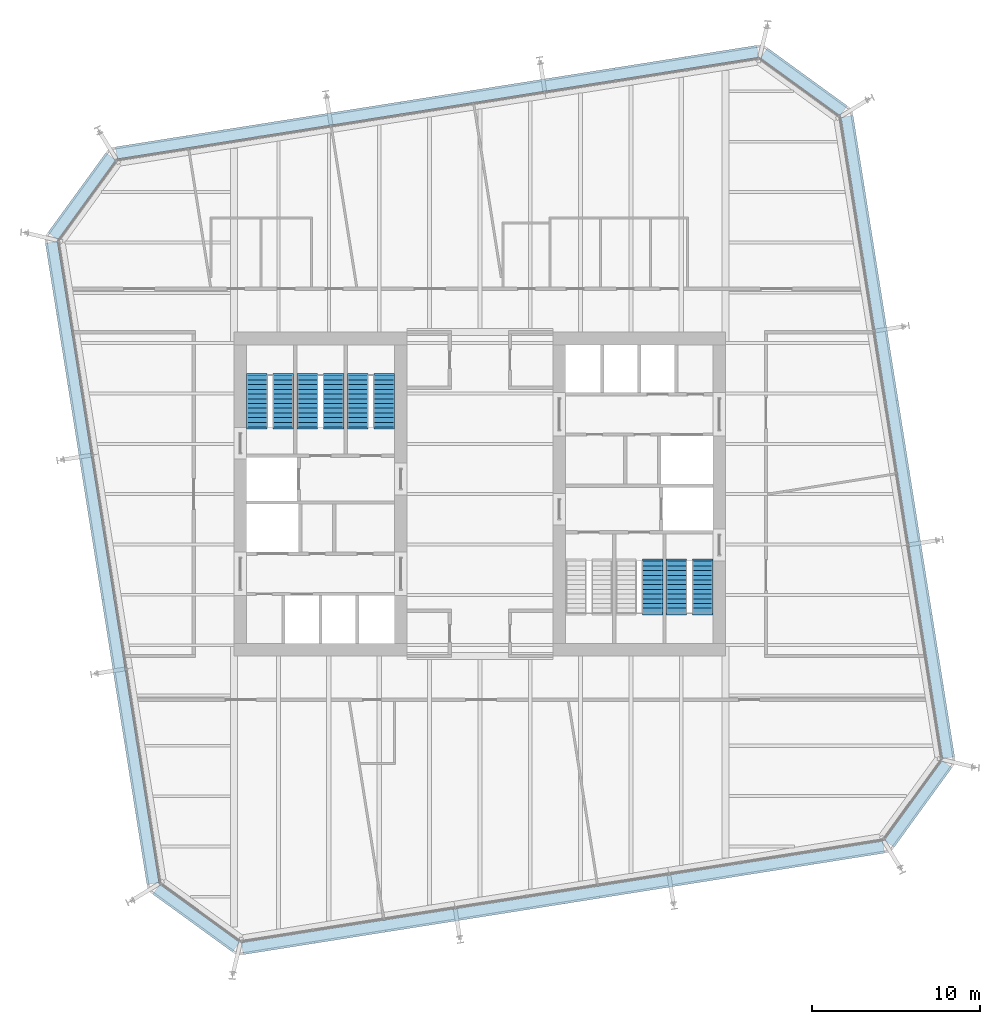
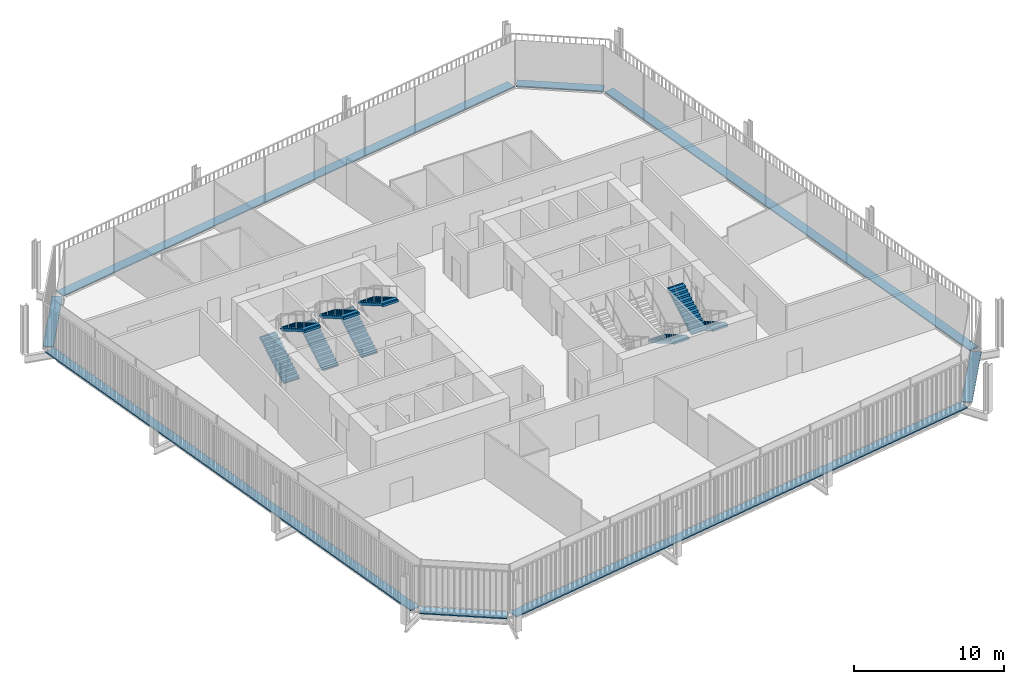
# One storey, part 20 of 21: 9 stair flights, 8 discrete accessories, 5 elements without a shape of their own.
"""IFC4 building model written with IfcOpenShell, lengths in metres."""

from ifc_helpers import new_model, si_unit, direction, frame, origin, origin_2d, place, context, subcontext, project, spatial, polyline, rectangle, outline, extrude, material, type_object, element, aggregate, save


model = new_model("IFC4")

# Units and contexts
model_context = context("Model", 3, precision=1e-05, world=origin(), true_north=direction((0.0, 1.0)))
body_context = subcontext(model_context, "Body", "Model", "MODEL_VIEW")
ifc_project = project(units=[si_unit("LENGTHUNIT", "METRE"), si_unit("AREAUNIT", "SQUARE_METRE"), si_unit("VOLUMEUNIT", "CUBIC_METRE"), si_unit("PLANEANGLEUNIT", "RADIAN"), si_unit("MASSUNIT", "GRAM", prefix="KILO")], contexts=[model_context])

# Site, building, storey
site_placement = place(None, origin())
site = spatial("IfcSite", under=ifc_project, at=site_placement, CompositionType="ELEMENT")
building_placement = place(site_placement, origin())
building = spatial("IfcBuilding", under=site, at=building_placement, Name="Millrace Tower", CompositionType="ELEMENT")
storey_placement = place(building_placement, frame((0.0, 0.0, 183.89990234375)))
storey = spatial("IfcBuildingStorey", under=building, at=storey_placement, Name="L41", CompositionType="ELEMENT", Elevation=183.89990234375)

# Stair, stair flights
ifc_material_1 = material(Name="Concrete C35", Category="concrete")
stair_type = type_object("IfcStairType", Name="Exit stair", PredefinedType="HALF_TURN_STAIR", material=ifc_material_1)
placement = place(storey_placement, origin())
stair_1 = element("IfcStair", 1, at=placement, inside=storey, type_object=stair_type, Name="Stair 1 W L41", PredefinedType="HALF_TURN_STAIR")
ifc_material_2 = material(Name="Concrete C35", Category="concrete")
stair_flight_type = type_object("IfcStairFlightType", Name="Exit stair flight", PredefinedType="STRAIGHT", material=ifc_material_2)
stair_flight_1_placement = place(storey_placement, frame((-13.2900390625, 4.0, 0.0), z_axis=(0.0, 0.0, 1.0), x_axis=(0.0, 1.0, 0.0)))
stair_flight_1 = element("IfcStairFlight", 2, at=stair_flight_1_placement, type_object=stair_flight_type, Name="ST12 flight 1", NumberOfRisers=12, NumberOfTreads=11, PredefinedType="STRAIGHT", RiserHeight=0.1625, TreadLength=0.28, context=body_context, shape_type="SweptSolid", body=[
    extrude(outline(polyline([(-0.1201171875, -0.0400390625), (-0.1201171875, 0.0), (0.0, 0.0), (0.0, 0.16259765625), (0.280029296875, 0.16259765625), (0.280029296875, 0.324951171875), (0.56005859375, 0.324951171875), (0.56005859375, 0.487548828125), (0.840087890625, 0.487548828125), (0.840087890625, 0.64990234375), (1.1201171875, 0.64990234375), (1.1201171875, 0.8125), (1.39990234375, 0.8125), (1.39990234375, 0.97509765625), (1.679931640625, 0.97509765625), (1.679931640625, 1.137451171875), (1.9599609375, 1.137451171875), (1.9599609375, 1.300048828125), (2.239990234375, 1.300048828125), (2.239990234375, 1.46240234375), (2.52001953125, 1.46240234375), (2.52001953125, 1.625), (2.800048828125, 1.625), (2.800048828125, 1.78759765625), (3.080078125, 1.78759765625), (3.080078125, 1.8076171875), (3.199951171875, 1.8076171875), (3.199951171875, 1.6142578125), (3.080078125, 1.6142578125), (0.298583984375, 0.0), (0.298583984375, -0.0400390625), (-0.1201171875, -0.0400390625)])), frame((0.0, 0.60986328125, 0.0), z_axis=(0.0, -1.0, 0.0), x_axis=(1.0, 0.0, 0.0)), (0.0, 0.0, 1.0), 1.219970703125),
])
stair_flight_2_placement = place(storey_placement, frame((-11.7099609375, 7.080078125, 1.9501953125), z_axis=(0.0, 0.0, 1.0), x_axis=(0.0, -1.0, 0.0)))
stair_flight_2 = element("IfcStairFlight", 3, at=stair_flight_2_placement, type_object=stair_flight_type, Name="ST12 flight 2", NumberOfRisers=12, NumberOfTreads=11, PredefinedType="STRAIGHT", RiserHeight=0.1625, TreadLength=0.28, context=body_context, shape_type="SweptSolid", body=[
    extrude(outline(polyline([(-0.1201171875, -0.0400390625), (-0.1201171875, 0.0), (0.0, 0.0), (0.0, 0.16259765625), (0.280029296875, 0.16259765625), (0.280029296875, 0.324951171875), (0.56005859375, 0.324951171875), (0.56005859375, 0.487548828125), (0.840087890625, 0.487548828125), (0.840087890625, 0.64990234375), (1.1201171875, 0.64990234375), (1.1201171875, 0.8125), (1.39990234375, 0.8125), (1.39990234375, 0.97509765625), (1.679931640625, 0.97509765625), (1.679931640625, 1.137451171875), (1.9599609375, 1.137451171875), (1.9599609375, 1.300048828125), (2.239990234375, 1.300048828125), (2.239990234375, 1.46240234375), (2.52001953125, 1.46240234375), (2.52001953125, 1.625), (2.800048828125, 1.625), (2.800048828125, 1.78759765625), (3.080078125, 1.78759765625), (3.080078125, 1.8076171875), (3.199951171875, 1.8076171875), (3.199951171875, 1.6142578125), (3.080078125, 1.6142578125), (0.298583984375, 0.0), (0.298583984375, -0.0400390625), (-0.1201171875, -0.0400390625)])), frame((0.0, 0.60986328125, 0.0), z_axis=(0.0, -1.0, 0.0), x_axis=(1.0, 0.0, 0.0)), (0.0, 0.0, 1.0), 1.219970703125),
])
aggregate(stair_1, [stair_flight_1, stair_flight_2])

stair_2 = element("IfcStair", 4, at=placement, inside=storey, type_object=stair_type, Name="Stair 2 W L41", PredefinedType="HALF_TURN_STAIR")
stair_flight_3_placement = place(storey_placement, frame((-10.2900390625, 4.0, 0.0), z_axis=(0.0, 0.0, 1.0), x_axis=(0.0, 1.0, 0.0)))
stair_flight_3 = element("IfcStairFlight", 5, at=stair_flight_3_placement, type_object=stair_flight_type, Name="ST12 flight 1", NumberOfRisers=12, NumberOfTreads=11, PredefinedType="STRAIGHT", RiserHeight=0.1625, TreadLength=0.28, context=body_context, shape_type="SweptSolid", body=[
    extrude(outline(polyline([(-0.1201171875, -0.0400390625), (-0.1201171875, 0.0), (0.0, 0.0), (0.0, 0.16259765625), (0.280029296875, 0.16259765625), (0.280029296875, 0.324951171875), (0.56005859375, 0.324951171875), (0.56005859375, 0.487548828125), (0.840087890625, 0.487548828125), (0.840087890625, 0.64990234375), (1.1201171875, 0.64990234375), (1.1201171875, 0.8125), (1.39990234375, 0.8125), (1.39990234375, 0.97509765625), (1.679931640625, 0.97509765625), (1.679931640625, 1.137451171875), (1.9599609375, 1.137451171875), (1.9599609375, 1.300048828125), (2.239990234375, 1.300048828125), (2.239990234375, 1.46240234375), (2.52001953125, 1.46240234375), (2.52001953125, 1.625), (2.800048828125, 1.625), (2.800048828125, 1.78759765625), (3.080078125, 1.78759765625), (3.080078125, 1.8076171875), (3.199951171875, 1.8076171875), (3.199951171875, 1.6142578125), (3.080078125, 1.6142578125), (0.298583984375, 0.0), (0.298583984375, -0.0400390625), (-0.1201171875, -0.0400390625)])), frame((0.0, 0.60986328125, 0.0), z_axis=(0.0, -1.0, 0.0), x_axis=(1.0, 0.0, 0.0)), (0.0, 0.0, 1.0), 1.219970703125),
])
stair_flight_4_placement = place(storey_placement, frame((-8.7099609375, 7.080078125, 1.9501953125), z_axis=(0.0, 0.0, 1.0), x_axis=(0.0, -1.0, 0.0)))
stair_flight_4 = element("IfcStairFlight", 6, at=stair_flight_4_placement, type_object=stair_flight_type, Name="ST12 flight 2", NumberOfRisers=12, NumberOfTreads=11, PredefinedType="STRAIGHT", RiserHeight=0.1625, TreadLength=0.28, context=body_context, shape_type="SweptSolid", body=[
    extrude(outline(polyline([(-0.1201171875, -0.0400390625), (-0.1201171875, 0.0), (0.0, 0.0), (0.0, 0.16259765625), (0.280029296875, 0.16259765625), (0.280029296875, 0.324951171875), (0.56005859375, 0.324951171875), (0.56005859375, 0.487548828125), (0.840087890625, 0.487548828125), (0.840087890625, 0.64990234375), (1.1201171875, 0.64990234375), (1.1201171875, 0.8125), (1.39990234375, 0.8125), (1.39990234375, 0.97509765625), (1.679931640625, 0.97509765625), (1.679931640625, 1.137451171875), (1.9599609375, 1.137451171875), (1.9599609375, 1.300048828125), (2.239990234375, 1.300048828125), (2.239990234375, 1.46240234375), (2.52001953125, 1.46240234375), (2.52001953125, 1.625), (2.800048828125, 1.625), (2.800048828125, 1.78759765625), (3.080078125, 1.78759765625), (3.080078125, 1.8076171875), (3.199951171875, 1.8076171875), (3.199951171875, 1.6142578125), (3.080078125, 1.6142578125), (0.298583984375, 0.0), (0.298583984375, -0.0400390625), (-0.1201171875, -0.0400390625)])), frame((0.0, 0.60986328125, 0.0), z_axis=(0.0, -1.0, 0.0), x_axis=(1.0, 0.0, 0.0)), (0.0, 0.0, 1.0), 1.219970703125),
])
aggregate(stair_2, [stair_flight_3, stair_flight_4])

stair_3 = element("IfcStair", 7, at=placement, inside=storey, type_object=stair_type, Name="Stair 3 W L41", PredefinedType="HALF_TURN_STAIR")
stair_flight_5_placement = place(storey_placement, frame((-7.2900390625, 4.0, 0.0), z_axis=(0.0, 0.0, 1.0), x_axis=(0.0, 1.0, 0.0)))
stair_flight_5 = element("IfcStairFlight", 8, at=stair_flight_5_placement, type_object=stair_flight_type, Name="ST12 flight 1", NumberOfRisers=12, NumberOfTreads=11, PredefinedType="STRAIGHT", RiserHeight=0.1625, TreadLength=0.28, context=body_context, shape_type="SweptSolid", body=[
    extrude(outline(polyline([(-0.1201171875, -0.0400390625), (-0.1201171875, 0.0), (0.0, 0.0), (0.0, 0.16259765625), (0.280029296875, 0.16259765625), (0.280029296875, 0.324951171875), (0.56005859375, 0.324951171875), (0.56005859375, 0.487548828125), (0.840087890625, 0.487548828125), (0.840087890625, 0.64990234375), (1.1201171875, 0.64990234375), (1.1201171875, 0.8125), (1.39990234375, 0.8125), (1.39990234375, 0.97509765625), (1.679931640625, 0.97509765625), (1.679931640625, 1.137451171875), (1.9599609375, 1.137451171875), (1.9599609375, 1.300048828125), (2.239990234375, 1.300048828125), (2.239990234375, 1.46240234375), (2.52001953125, 1.46240234375), (2.52001953125, 1.625), (2.800048828125, 1.625), (2.800048828125, 1.78759765625), (3.080078125, 1.78759765625), (3.080078125, 1.8076171875), (3.199951171875, 1.8076171875), (3.199951171875, 1.6142578125), (3.080078125, 1.6142578125), (0.298583984375, 0.0), (0.298583984375, -0.0400390625), (-0.1201171875, -0.0400390625)])), frame((0.0, 0.60986328125, 0.0), z_axis=(0.0, -1.0, 0.0), x_axis=(1.0, 0.0, 0.0)), (0.0, 0.0, 1.0), 1.219970703125),
])
stair_flight_6_placement = place(storey_placement, frame((-5.7099609375, 7.080078125, 1.9501953125), z_axis=(0.0, 0.0, 1.0), x_axis=(0.0, -1.0, 0.0)))
stair_flight_6 = element("IfcStairFlight", 9, at=stair_flight_6_placement, type_object=stair_flight_type, Name="ST12 flight 2", NumberOfRisers=12, NumberOfTreads=11, PredefinedType="STRAIGHT", RiserHeight=0.1625, TreadLength=0.28, context=body_context, shape_type="SweptSolid", body=[
    extrude(outline(polyline([(-0.1201171875, -0.0400390625), (-0.1201171875, 0.0), (0.0, 0.0), (0.0, 0.16259765625), (0.280029296875, 0.16259765625), (0.280029296875, 0.324951171875), (0.56005859375, 0.324951171875), (0.56005859375, 0.487548828125), (0.840087890625, 0.487548828125), (0.840087890625, 0.64990234375), (1.1201171875, 0.64990234375), (1.1201171875, 0.8125), (1.39990234375, 0.8125), (1.39990234375, 0.97509765625), (1.679931640625, 0.97509765625), (1.679931640625, 1.137451171875), (1.9599609375, 1.137451171875), (1.9599609375, 1.300048828125), (2.239990234375, 1.300048828125), (2.239990234375, 1.46240234375), (2.52001953125, 1.46240234375), (2.52001953125, 1.625), (2.800048828125, 1.625), (2.800048828125, 1.78759765625), (3.080078125, 1.78759765625), (3.080078125, 1.8076171875), (3.199951171875, 1.8076171875), (3.199951171875, 1.6142578125), (3.080078125, 1.6142578125), (0.298583984375, 0.0), (0.298583984375, -0.0400390625), (-0.1201171875, -0.0400390625)])), frame((0.0, 0.60986328125, 0.0), z_axis=(0.0, -1.0, 0.0), x_axis=(1.0, 0.0, 0.0)), (0.0, 0.0, 1.0), 1.219970703125),
])
aggregate(stair_3, [stair_flight_5, stair_flight_6])

stair_4 = element("IfcStair", 10, at=placement, inside=storey, type_object=stair_type, Name="Stair 1 E L41", PredefinedType="HALF_TURN_STAIR")
stair_flight_7_placement = place(storey_placement, frame((13.2900390625, -4.0, 0.0), z_axis=(0.0, 0.0, 1.0), x_axis=(0.0, -1.0, 0.0)))
stair_flight_7 = element("IfcStairFlight", 11, at=stair_flight_7_placement, type_object=stair_flight_type, Name="ST12 flight 1", NumberOfRisers=12, NumberOfTreads=11, PredefinedType="STRAIGHT", RiserHeight=0.1625, TreadLength=0.28, context=body_context, shape_type="SweptSolid", body=[
    extrude(outline(polyline([(-0.1201171875, -0.0400390625), (-0.1201171875, 0.0), (0.0, 0.0), (0.0, 0.16259765625), (0.280029296875, 0.16259765625), (0.280029296875, 0.324951171875), (0.56005859375, 0.324951171875), (0.56005859375, 0.487548828125), (0.840087890625, 0.487548828125), (0.840087890625, 0.64990234375), (1.1201171875, 0.64990234375), (1.1201171875, 0.8125), (1.39990234375, 0.8125), (1.39990234375, 0.97509765625), (1.679931640625, 0.97509765625), (1.679931640625, 1.137451171875), (1.9599609375, 1.137451171875), (1.9599609375, 1.300048828125), (2.239990234375, 1.300048828125), (2.239990234375, 1.46240234375), (2.52001953125, 1.46240234375), (2.52001953125, 1.625), (2.800048828125, 1.625), (2.800048828125, 1.78759765625), (3.080078125, 1.78759765625), (3.080078125, 1.8076171875), (3.199951171875, 1.8076171875), (3.199951171875, 1.6142578125), (3.080078125, 1.6142578125), (0.298583984375, 0.0), (0.298583984375, -0.0400390625), (-0.1201171875, -0.0400390625)])), frame((0.0, 0.60986328125, 0.0), z_axis=(0.0, -1.0, 0.0), x_axis=(1.0, 0.0, 0.0)), (0.0, 0.0, 1.0), 1.219970703125),
])
stair_flight_8_placement = place(storey_placement, frame((11.7099609375, -7.080078125, 1.9501953125), z_axis=(0.0, 0.0, 1.0), x_axis=(0.0, 1.0, 0.0)))
stair_flight_8 = element("IfcStairFlight", 12, at=stair_flight_8_placement, type_object=stair_flight_type, Name="ST12 flight 2", NumberOfRisers=12, NumberOfTreads=11, PredefinedType="STRAIGHT", RiserHeight=0.1625, TreadLength=0.28, context=body_context, shape_type="SweptSolid", body=[
    extrude(outline(polyline([(-0.1201171875, -0.0400390625), (-0.1201171875, 0.0), (0.0, 0.0), (0.0, 0.16259765625), (0.280029296875, 0.16259765625), (0.280029296875, 0.324951171875), (0.56005859375, 0.324951171875), (0.56005859375, 0.487548828125), (0.840087890625, 0.487548828125), (0.840087890625, 0.64990234375), (1.1201171875, 0.64990234375), (1.1201171875, 0.8125), (1.39990234375, 0.8125), (1.39990234375, 0.97509765625), (1.679931640625, 0.97509765625), (1.679931640625, 1.137451171875), (1.9599609375, 1.137451171875), (1.9599609375, 1.300048828125), (2.239990234375, 1.300048828125), (2.239990234375, 1.46240234375), (2.52001953125, 1.46240234375), (2.52001953125, 1.625), (2.800048828125, 1.625), (2.800048828125, 1.78759765625), (3.080078125, 1.78759765625), (3.080078125, 1.8076171875), (3.199951171875, 1.8076171875), (3.199951171875, 1.6142578125), (3.080078125, 1.6142578125), (0.298583984375, 0.0), (0.298583984375, -0.0400390625), (-0.1201171875, -0.0400390625)])), frame((0.0, 0.60986328125, 0.0), z_axis=(0.0, -1.0, 0.0), x_axis=(1.0, 0.0, 0.0)), (0.0, 0.0, 1.0), 1.219970703125),
])
aggregate(stair_4, [stair_flight_7, stair_flight_8])

# Stair, stair flight
stair_5 = element("IfcStair", 13, at=placement, inside=storey, type_object=stair_type, Name="Stair 2 E L41", PredefinedType="HALF_TURN_STAIR")
stair_flight_9_placement = place(storey_placement, frame((10.2900390625, -4.0, 0.0), z_axis=(0.0, 0.0, 1.0), x_axis=(0.0, -1.0, 0.0)))
stair_flight_9 = element("IfcStairFlight", 14, at=stair_flight_9_placement, type_object=stair_flight_type, Name="ST12 flight 1", NumberOfRisers=12, NumberOfTreads=11, PredefinedType="STRAIGHT", RiserHeight=0.1625, TreadLength=0.28, context=body_context, shape_type="SweptSolid", body=[
    extrude(outline(polyline([(-0.1201171875, -0.0400390625), (-0.1201171875, 0.0), (0.0, 0.0), (0.0, 0.16259765625), (0.280029296875, 0.16259765625), (0.280029296875, 0.324951171875), (0.56005859375, 0.324951171875), (0.56005859375, 0.487548828125), (0.840087890625, 0.487548828125), (0.840087890625, 0.64990234375), (1.1201171875, 0.64990234375), (1.1201171875, 0.8125), (1.39990234375, 0.8125), (1.39990234375, 0.97509765625), (1.679931640625, 0.97509765625), (1.679931640625, 1.137451171875), (1.9599609375, 1.137451171875), (1.9599609375, 1.300048828125), (2.239990234375, 1.300048828125), (2.239990234375, 1.46240234375), (2.52001953125, 1.46240234375), (2.52001953125, 1.625), (2.800048828125, 1.625), (2.800048828125, 1.78759765625), (3.080078125, 1.78759765625), (3.080078125, 1.8076171875), (3.199951171875, 1.8076171875), (3.199951171875, 1.6142578125), (3.080078125, 1.6142578125), (0.298583984375, 0.0), (0.298583984375, -0.0400390625), (-0.1201171875, -0.0400390625)])), frame((0.0, 0.60986328125, 0.0), z_axis=(0.0, -1.0, 0.0), x_axis=(1.0, 0.0, 0.0)), (0.0, 0.0, 1.0), 1.219970703125),
])
aggregate(stair_5, [stair_flight_9])

# Discrete accessories
ifc_material_3 = material(Name="Stainless steel ASTM A240 type 316", Category="steel")
discrete_accessory_type = type_object("IfcDiscreteAccessoryType", Name="Thermally broken screen support rail", PredefinedType="BRACKET", material=ifc_material_3)
discrete_accessory_1_placement = place(storey_placement, frame((-16.909423828125, -25.275390625, 0.0), z_axis=(0.0, 0.0, 1.0), x_axis=(0.809016981623, -0.587785269844, 0.0)))
element("IfcDiscreteAccessory", 15, at=discrete_accessory_1_placement, inside=storey, type_object=discrete_accessory_type, Name="Thermally broken screen support rail C-F01 L41 1", PredefinedType="BRACKET", context=body_context, shape_type="SweptSolid", body=[
    extrude(rectangle(XDim=5.868896484375, YDim=0.719970703125, at=origin_2d()), origin(), (0.0, 0.0, 1.0), 0.10009765625),
])
discrete_accessory_2_placement = place(storey_placement, frame((4.9560546875, -24.064453125, 0.0), z_axis=(0.0, 0.0, 1.0), x_axis=(0.98768833929, 0.15643447328, 0.0)))
element("IfcDiscreteAccessory", 16, at=discrete_accessory_2_placement, inside=storey, type_object=discrete_accessory_type, Name="Thermally broken screen support rail C-F02 L41 1", PredefinedType="BRACKET", context=body_context, shape_type="SweptSolid", body=[
    extrude(rectangle(XDim=38.699951171875, YDim=0.719970703125, at=origin_2d()), origin(), (0.0, 0.0, 1.0), 0.10009765625),
])
discrete_accessory_3_placement = place(storey_placement, frame((26.12548828125, -18.45947265625, 0.0), z_axis=(0.0, 0.0, 1.0), x_axis=(0.587785269844, 0.809016981623, 0.0)))
element("IfcDiscreteAccessory", 17, at=discrete_accessory_3_placement, inside=storey, type_object=discrete_accessory_type, Name="Thermally broken screen support rail C-F03 L41 1", PredefinedType="BRACKET", context=body_context, shape_type="SweptSolid", body=[
    extrude(rectangle(XDim=5.868896484375, YDim=0.719970703125, at=origin_2d()), origin(), (0.0, 0.0, 1.0), 0.10009765625),
])
discrete_accessory_4_placement = place(storey_placement, frame((24.914306640625, 3.406005859375, 0.0), z_axis=(0.0, 0.0, 1.0), x_axis=(-0.15643447328, 0.98768833929, 0.0)))
element("IfcDiscreteAccessory", 18, at=discrete_accessory_4_placement, inside=storey, type_object=discrete_accessory_type, Name="Thermally broken screen support rail C-F04 L41 1", PredefinedType="BRACKET", context=body_context, shape_type="SweptSolid", body=[
    extrude(rectangle(XDim=38.699951171875, YDim=0.719970703125, at=origin_2d()), origin(), (0.0, 0.0, 1.0), 0.10009765625),
])
discrete_accessory_5_placement = place(storey_placement, frame((19.309326171875, 24.575439453125, 0.0), z_axis=(0.0, 0.0, 1.0), x_axis=(-0.809016981623, 0.587785269844, 0.0)))
element("IfcDiscreteAccessory", 19, at=discrete_accessory_5_placement, inside=storey, type_object=discrete_accessory_type, Name="Thermally broken screen support rail C-F05 L41 1", PredefinedType="BRACKET", context=body_context, shape_type="SweptSolid", body=[
    extrude(rectangle(XDim=5.868896484375, YDim=0.719970703125, at=origin_2d()), origin(), (0.0, 0.0, 1.0), 0.10009765625),
])
discrete_accessory_6_placement = place(storey_placement, frame((-2.555908203125, 23.364501953125, 0.0), z_axis=(0.0, 0.0, 1.0), x_axis=(-0.98768833929, -0.15643447328, 0.0)))
element("IfcDiscreteAccessory", 20, at=discrete_accessory_6_placement, inside=storey, type_object=discrete_accessory_type, Name="Thermally broken screen support rail C-F06 L41 1", PredefinedType="BRACKET", context=body_context, shape_type="SweptSolid", body=[
    extrude(rectangle(XDim=38.699951171875, YDim=0.719970703125, at=origin_2d()), origin(), (0.0, 0.0, 1.0), 0.10009765625),
])
discrete_accessory_7_placement = place(storey_placement, frame((-23.725341796875, 17.75927734375, 0.0), z_axis=(0.0, 0.0, 1.0), x_axis=(-0.587785269844, -0.809016981623, 0.0)))
element("IfcDiscreteAccessory", 21, at=discrete_accessory_7_placement, inside=storey, type_object=discrete_accessory_type, Name="Thermally broken screen support rail C-F07 L41 1", PredefinedType="BRACKET", context=body_context, shape_type="SweptSolid", body=[
    extrude(rectangle(XDim=5.868896484375, YDim=0.719970703125, at=origin_2d()), origin(), (0.0, 0.0, 1.0), 0.10009765625),
])
discrete_accessory_8_placement = place(storey_placement, frame((-22.514404296875, -4.10595703125, 0.0), z_axis=(0.0, 0.0, 1.0), x_axis=(0.15643447328, -0.98768833929, 0.0)))
element("IfcDiscreteAccessory", 22, at=discrete_accessory_8_placement, inside=storey, type_object=discrete_accessory_type, Name="Thermally broken screen support rail C-F08 L41 1", PredefinedType="BRACKET", context=body_context, shape_type="SweptSolid", body=[
    extrude(rectangle(XDim=38.699951171875, YDim=0.719970703125, at=origin_2d()), origin(), (0.0, 0.0, 1.0), 0.10009765625),
])

save(model, "model.ifc")
